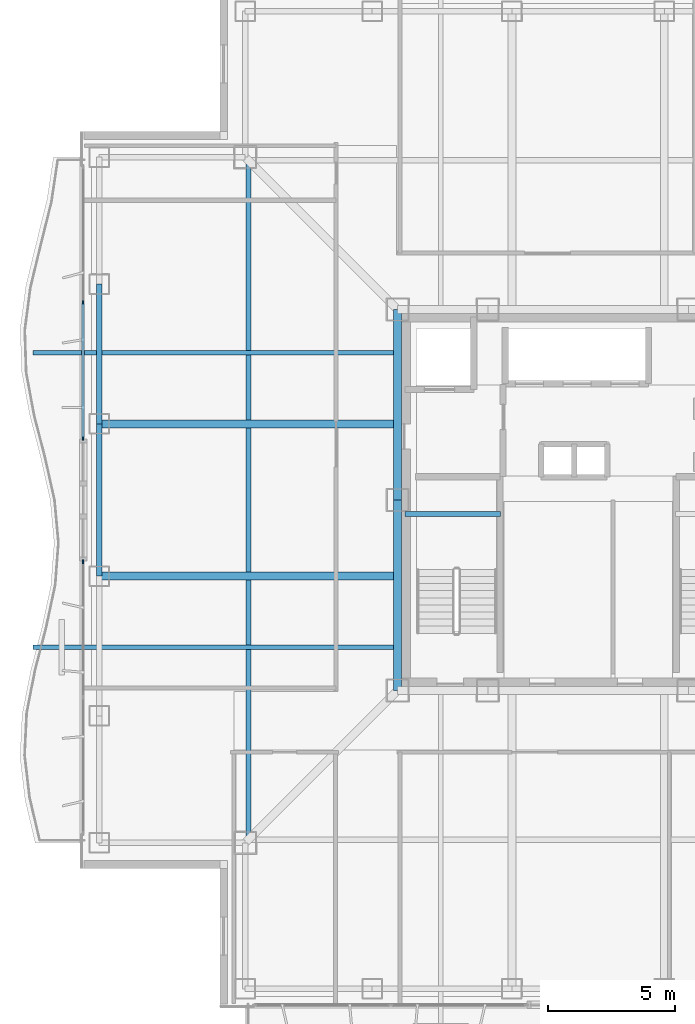
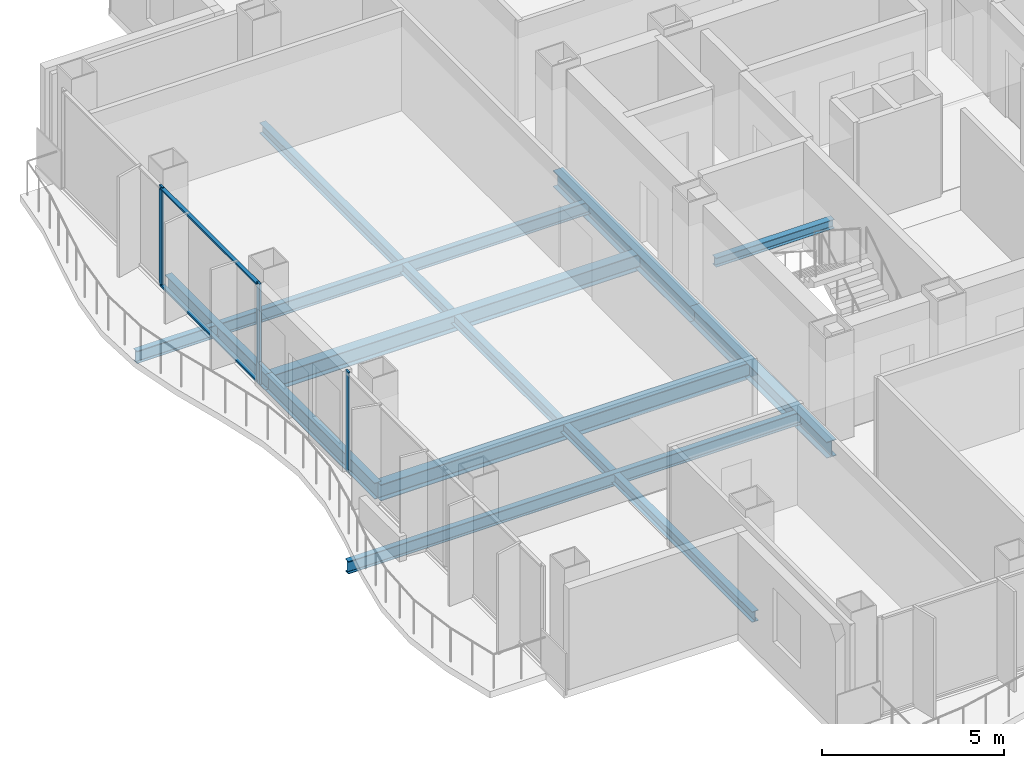
# One storey, part 4 of 16: 10 beams, 5 members, 2 elements without a shape of their own.
"""IFC4 building model written with IfcOpenShell, lengths in metres."""

from ifc_helpers import new_model, si_unit, direction, frame, origin, origin_2d, place, context, subcontext, project, spatial, rectangle, i_section, extrude, material, layer, layer_set, material_profile, profile_set, type_object, element, aggregate, save


model = new_model("IFC4")

# Units and contexts
model_context = context("Model", 3, precision=1e-05, world=origin(), true_north=direction((0.0, 1.0)))
body_context = subcontext(model_context, "Body", "Model", "MODEL_VIEW")
ifc_project = project(units=[si_unit("LENGTHUNIT", "METRE"), si_unit("AREAUNIT", "SQUARE_METRE"), si_unit("VOLUMEUNIT", "CUBIC_METRE"), si_unit("PLANEANGLEUNIT", "RADIAN"), si_unit("MASSUNIT", "GRAM", prefix="KILO")], contexts=[model_context])

# Site, building, storey
site_placement = place(None, origin())
site = spatial("IfcSite", under=ifc_project, at=site_placement, CompositionType="ELEMENT")
building_placement = place(site_placement, origin())
building = spatial("IfcBuilding", under=site, at=building_placement, Name="Trevonay Congress Spire", CompositionType="ELEMENT")
storey_placement = place(building_placement, frame((0.0, 0.0, 195.0)))
storey = spatial("IfcBuildingStorey", under=building, at=storey_placement, Name="L50", CompositionType="ELEMENT", Elevation=195.0)

# Beams
ifc_material_1 = material(Name="Steel ASTM A572 Grade 50", Category="steel")
ifc_material_profile_1 = material_profile(ifc_material_1, i_section(OverallWidth=0.31201171875, OverallDepth=0.54296875, WebThickness=0.0126953125, FlangeThickness=0.020263671875, FilletRadius=0.014892578125, at=origin_2d()), Name="W530x150")
ifc_profile_set_1 = profile_set([ifc_material_profile_1], Name="Steel ASTM A572 Grade 50")
beam_type_1 = type_object("IfcBeamType", Name="BM-GIRD-W530X150", PredefinedType="BEAM", material=ifc_profile_set_1)
for number, where, z_axis, x_axis, name in (
    (1, (-7.5, -7.5, -0.511474609375), (0.0, 1.0, 0.0), (-1.0, 0.0, 0.0), "L50 structural beam BM-L50-CR-W1"),
    (2, (-7.5, 0.0, -0.511474609375), (0.0, 1.0, 0.0), (-1.0, 0.0, 0.0), "L50 structural beam BM-L50-CR-W2"),
):
    element("IfcBeam", number, at=place(storey_placement, frame(where, z_axis=z_axis, x_axis=x_axis)), inside=storey, type_object=beam_type_1, Name=name, PredefinedType="BEAM", context=body_context, shape_type="SweptSolid", body=[
        extrude(i_section(OverallWidth=0.31201171875, OverallDepth=0.54296875, WebThickness=0.0126953125, FlangeThickness=0.020263671875, FilletRadius=0.014892578125, at=origin_2d()), origin(), (0.0, 0.0, 1.0), 7.5),
    ])
for number, where, z_axis, x_axis, name in (
    (3, (-7.5, -3.0, -0.511474609375), (-1.0, 0.0, 0.0), (0.0, -1.0, 0.0), "L50 structural beam BM-L50-GW-M"),
    (4, (-7.5, 3.0, -0.511474609375), (-1.0, 0.0, 0.0), (0.0, -1.0, 0.0), "L50 structural beam BM-L50-GW-P"),
):
    element("IfcBeam", number, at=place(storey_placement, frame(where, z_axis=z_axis, x_axis=x_axis)), inside=storey, type_object=beam_type_1, Name=name, PredefinedType="BEAM", context=body_context, shape_type="SweptSolid", body=[
        extrude(i_section(OverallWidth=0.31201171875, OverallDepth=0.54296875, WebThickness=0.0126953125, FlangeThickness=0.020263671875, FilletRadius=0.014892578125, at=origin_2d()), origin(), (0.0, 0.0, 1.0), 11.75),
    ])
ifc_material_profile_2 = material_profile(ifc_material_1, i_section(OverallWidth=0.2119140625, OverallDepth=0.5439453125, WebThickness=0.01318359375, FlangeThickness=0.021240234375, FilletRadius=0.014892578125, at=origin_2d()), Name="W530x123")
ifc_profile_set_2 = profile_set([ifc_material_profile_2], Name="Steel ASTM A572 Grade 50")
beam_type_2 = type_object("IfcBeamType", Name="BM-RING-W530X123", PredefinedType="BEAM", material=ifc_profile_set_2)
beam_1_placement = place(storey_placement, frame((-19.25, -3.0, -0.511962890625), z_axis=(0.0, 1.0, 0.0), x_axis=(-1.0, 0.0, 0.0)))
element("IfcBeam", 5, at=beam_1_placement, inside=storey, type_object=beam_type_2, Name="L50 structural beam BM-L50-PW3", PredefinedType="BEAM", context=body_context, shape_type="SweptSolid", body=[
    extrude(i_section(OverallWidth=0.2119140625, OverallDepth=0.5439453125, WebThickness=0.01318359375, FlangeThickness=0.021240234375, FilletRadius=0.014892578125, at=origin_2d()), origin(), (0.0, 0.0, 1.0), 6.0),
])
beam_2_placement = place(storey_placement, frame((-19.25, 3.0, -0.511962890625), z_axis=(0.0, 1.0, 0.0), x_axis=(-1.0, 0.0, 0.0)))
element("IfcBeam", 6, at=beam_2_placement, inside=storey, type_object=beam_type_2, Name="L50 structural beam BM-L50-PW4", PredefinedType="BEAM", context=body_context, shape_type="SweptSolid", body=[
    extrude(i_section(OverallWidth=0.2119140625, OverallDepth=0.5439453125, WebThickness=0.01318359375, FlangeThickness=0.021240234375, FilletRadius=0.014892578125, at=origin_2d()), origin(), (0.0, 0.0, 1.0), 5.5),
])
ifc_material_profile_3 = material_profile(ifc_material_1, i_section(OverallWidth=0.180908203125, OverallDepth=0.4169921875, WebThickness=0.010986328125, FlangeThickness=0.018310546875, FilletRadius=0.012939453125, at=origin_2d()), Name="W410x85")
ifc_profile_set_3 = profile_set([ifc_material_profile_3], Name="Steel ASTM A572 Grade 50")
beam_type_3 = type_object("IfcBeamType", Name="BM-WAV-LOOKOUT", PredefinedType="BEAM", material=ifc_profile_set_3)
for number, where, z_axis, x_axis, name in (
    (7, (-7.5, -5.800048828125, -0.448486328125), (-1.0, 0.0, 0.0), (0.0, -1.0, 0.0), "L50 structural beam WLK-L50-W1"),
    (8, (-7.5, 5.800048828125, -0.448486328125), (-1.0, 0.0, 0.0), (0.0, -1.0, 0.0), "L50 structural beam WLK-L50-W2"),
):
    element("IfcBeam", number, at=place(storey_placement, frame(where, z_axis=z_axis, x_axis=x_axis)), inside=storey, type_object=beam_type_3, Name=name, PredefinedType="BEAM", context=body_context, shape_type="SweptSolid", body=[
        extrude(i_section(OverallWidth=0.180908203125, OverallDepth=0.4169921875, WebThickness=0.010986328125, FlangeThickness=0.018310546875, FilletRadius=0.012939453125, at=origin_2d()), origin(), (0.0, 0.0, 1.0), 14.35009765625),
    ])

# Curtain wall, member
ifc_material_2 = material(Name="Pale Anodised Aluminium EN AW-6063-T6", Category="aluminium")
ifc_layer = layer(ifc_material_2, 0.169921875, Name="Pale Anodised Aluminium EN AW-6063-T6")
ifc_layer_set = layer_set([ifc_layer], Name="Pale Anodised Aluminium EN AW-6063-T6")
curtain_wall_type = type_object("IfcCurtainWallType", Name="CW-SYS04-CORP-PALE-METAL", PredefinedType="NOTDEFINED", material=ifc_layer_set)
curtain_wall_1_placement = place(storey_placement, origin())
curtain_wall_1 = element("IfcCurtainWall", 9, at=curtain_wall_1_placement, inside=storey, type_object=curtain_wall_type, Name="L50 WA unitised curtain wall", PredefinedType="NOTDEFINED")
ifc_material_profile_4 = material_profile(ifc_material_2, rectangle(XDim=0.06005859375, YDim=0.159912109375, at=origin_2d()), Name="CW-MULLION-160-ALUMINIUM")
ifc_profile_set_4 = profile_set([ifc_material_profile_4], Name="Pale Anodised Aluminium EN AW-6063-T6")
member_type_1 = type_object("IfcMemberType", Name="CW-MULLION-160-ALUMINIUM", PredefinedType="MULLION", material=ifc_profile_set_4)
member_1_placement = place(storey_placement, frame((-19.8798828125, -2.429931640625, 0.0), z_axis=(0.0, 0.0, 1.0), x_axis=(-1.0, 0.0, 0.0)))
member_1 = element("IfcMember", 10, at=member_1_placement, type_object=member_type_1, Name="CW04 mullion 3", PredefinedType="MULLION", context=body_context, shape_type="SweptSolid", body=[
    extrude(rectangle(XDim=0.06005859375, YDim=0.159912109375, at=origin_2d()), origin(), (0.0, 0.0, 1.0), 3.360107421875),
])
aggregate(curtain_wall_1, [member_1])

# Curtain wall, members
curtain_wall_2_placement = place(storey_placement, origin())
curtain_wall_2 = element("IfcCurtainWall", 11, at=curtain_wall_2_placement, inside=storey, type_object=curtain_wall_type, Name="L50 WB unitised curtain wall", PredefinedType="NOTDEFINED")
member_2_placement = place(storey_placement, frame((-19.8798828125, 2.429931640625, 0.0), z_axis=(0.0, 0.0, 1.0), x_axis=(-1.0, 0.0, 0.0)))
member_2 = element("IfcMember", 12, at=member_2_placement, type_object=member_type_1, Name="CW04 mullion 1", PredefinedType="MULLION", context=body_context, shape_type="SweptSolid", body=[
    extrude(rectangle(XDim=0.06005859375, YDim=0.159912109375, at=origin_2d()), origin(), (0.0, 0.0, 1.0), 3.360107421875),
])
member_3_placement = place(storey_placement, frame((-19.8798828125, 7.77490234375, 0.0), z_axis=(0.0, 0.0, 1.0), x_axis=(-1.0, 0.0, 0.0)))
member_3 = element("IfcMember", 13, at=member_3_placement, type_object=member_type_1, Name="CW04 mullion 2", PredefinedType="MULLION", context=body_context, shape_type="SweptSolid", body=[
    extrude(rectangle(XDim=0.06005859375, YDim=0.159912109375, at=origin_2d()), origin(), (0.0, 0.0, 1.0), 3.360107421875),
])
ifc_material_profile_5 = material_profile(ifc_material_2, rectangle(XDim=0.1201171875, YDim=0.06005859375, at=origin_2d()), Name="CW-TRANSOM-120-ALUMINIUM")
ifc_profile_set_5 = profile_set([ifc_material_profile_5], Name="Pale Anodised Aluminium EN AW-6063-T6")
member_type_2 = type_object("IfcMemberType", Name="CW-TRANSOM-120-ALUMINIUM", PredefinedType="USERDEFINED", material=ifc_profile_set_5)
member_4_placement = place(storey_placement, frame((-19.8798828125, 2.4599609375, 0.06005859375), z_axis=(0.0, 1.0, 0.0), x_axis=(-1.0, 0.0, 0.0)))
member_4 = element("IfcMember", 14, at=member_4_placement, type_object=member_type_2, Name="CW04 transom 1.1", ObjectType="TRANSOM", PredefinedType="USERDEFINED", context=body_context, shape_type="SweptSolid", body=[
    extrude(rectangle(XDim=0.1201171875, YDim=0.06005859375, at=origin_2d()), origin(), (0.0, 0.0, 1.0), 5.28515625),
])
member_5_placement = place(storey_placement, frame((-19.8798828125, 2.4599609375, 3.300048828125), z_axis=(0.0, 1.0, 0.0), x_axis=(-1.0, 0.0, 0.0)))
member_5 = element("IfcMember", 15, at=member_5_placement, type_object=member_type_2, Name="CW04 transom 1.2", ObjectType="TRANSOM", PredefinedType="USERDEFINED", context=body_context, shape_type="SweptSolid", body=[
    extrude(rectangle(XDim=0.1201171875, YDim=0.06005859375, at=origin_2d()), origin(), (0.0, 0.0, 1.0), 5.28515625),
])
aggregate(curtain_wall_2, [member_2, member_3, member_4, member_5])

# Beams
ifc_material_profile_6 = material_profile(ifc_material_1, i_section(OverallWidth=0.205078125, OverallDepth=0.35400390625, WebThickness=0.009521484375, FlangeThickness=0.016845703125, FilletRadius=0.011962890625, at=origin_2d()), Name="W360x79")
ifc_profile_set_6 = profile_set([ifc_material_profile_6], Name="Steel ASTM A572 Grade 50")
beam_type_4 = type_object("IfcBeamType", Name="JS-COMP-W360X79", PredefinedType="JOIST", material=ifc_profile_set_6)
beam_3_placement = place(storey_placement, frame((-13.375, -13.5, -0.4169921875), z_axis=(0.0, 1.0, 0.0), x_axis=(-1.0, 0.0, 0.0)))
element("IfcBeam", 16, at=beam_3_placement, inside=storey, type_object=beam_type_4, Name="L50 structural beam JS-L50-RING-W", PredefinedType="JOIST", context=body_context, shape_type="SweptSolid", body=[
    extrude(i_section(OverallWidth=0.205078125, OverallDepth=0.35400390625, WebThickness=0.009521484375, FlangeThickness=0.016845703125, FilletRadius=0.011962890625, at=origin_2d()), origin(), (0.0, 0.0, 1.0), 27.0),
])
ifc_material_profile_7 = material_profile(ifc_material_1, i_section(OverallWidth=0.2041015625, OverallDepth=0.305908203125, WebThickness=0.008544921875, FlangeThickness=0.0146484375, FilletRadius=0.010986328125, at=origin_2d()), Name="W310x67")
ifc_profile_set_7 = profile_set([ifc_material_profile_7], Name="Steel ASTM A572 Grade 50")
beam_type_5 = type_object("IfcBeamType", Name="LN-CORE-W310X67", PredefinedType="LINTEL", material=ifc_profile_set_7)
beam_4_placement = place(storey_placement, frame((-7.199951171875, -0.550048828125, 1.447021484375), z_axis=(1.0, 0.0, 0.0), x_axis=(0.0, 1.0, 0.0)))
element("IfcBeam", 17, at=beam_4_placement, inside=storey, type_object=beam_type_5, Name="L50 structural beam BM-L50-HL-ST1", PredefinedType="LINTEL", context=body_context, shape_type="SweptSolid", body=[
    extrude(i_section(OverallWidth=0.2041015625, OverallDepth=0.305908203125, WebThickness=0.008544921875, FlangeThickness=0.0146484375, FilletRadius=0.010986328125, at=origin_2d()), origin(), (0.0, 0.0, 1.0), 3.75),
])

save(model, "model.ifc")
